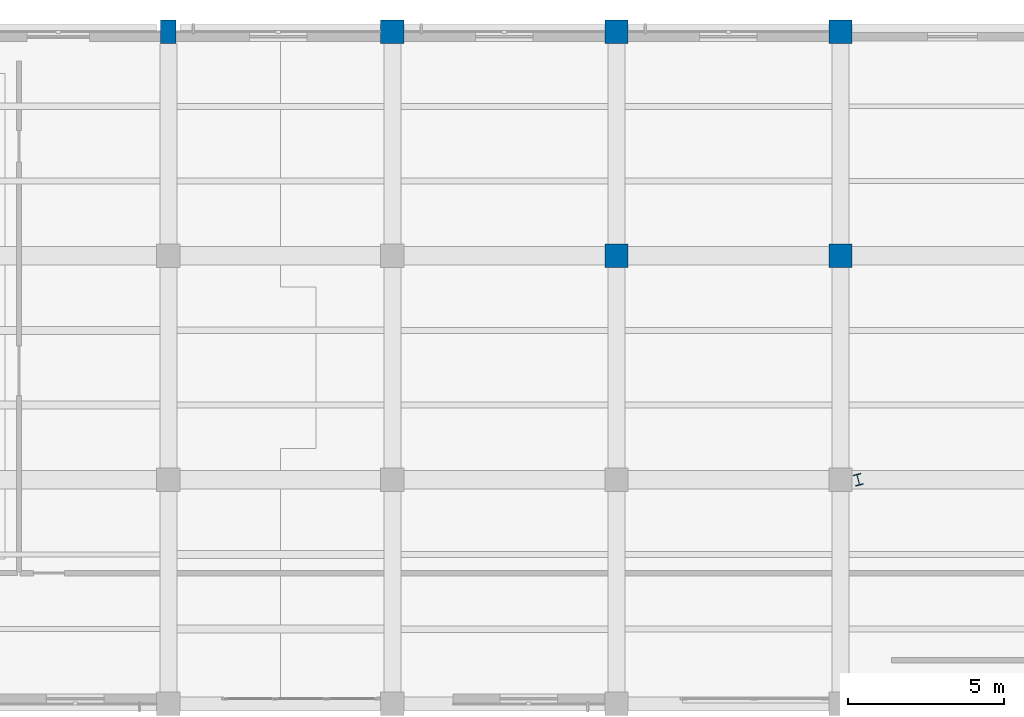
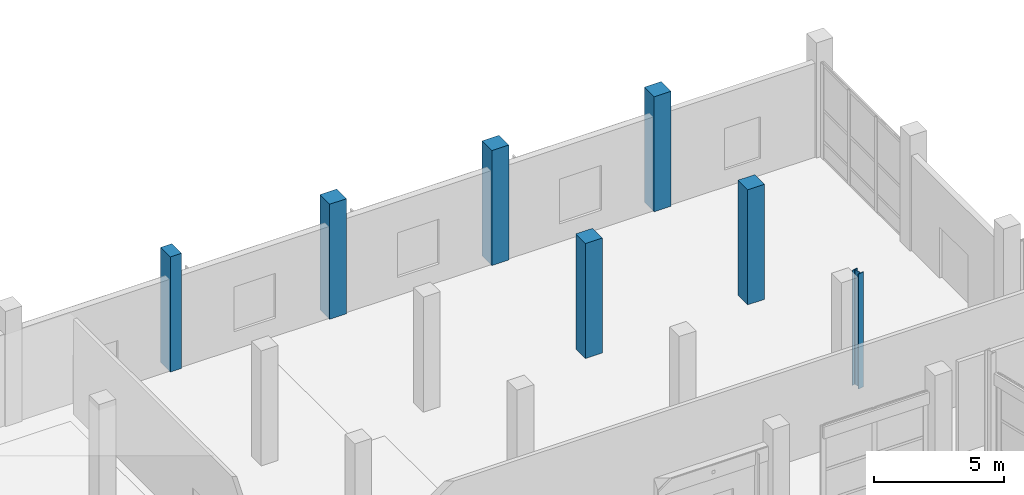
# One storey, part 4 of 137: 7 columns.
"""IFC4 building model written with IfcOpenShell, lengths in metres."""

from ifc_helpers import new_model, si_unit, direction, frame, origin, origin_2d, place, context, subcontext, project, spatial, rectangle, i_section, extrude, material, material_profile, profile_set, type_object, element, save


model = new_model("IFC4")

# Units and contexts
model_context = context("Model", 3, precision=1e-05, world=origin(), true_north=direction((0.0, 1.0)))
body_context = subcontext(model_context, "Body", "Model", "MODEL_VIEW")
ifc_project = project(units=[si_unit("LENGTHUNIT", "METRE"), si_unit("AREAUNIT", "SQUARE_METRE"), si_unit("VOLUMEUNIT", "CUBIC_METRE"), si_unit("PLANEANGLEUNIT", "RADIAN"), si_unit("MASSUNIT", "GRAM", prefix="KILO")], contexts=[model_context])

# Site, building, storey
site_placement = place(None, origin())
site = spatial("IfcSite", under=ifc_project, at=site_placement, CompositionType="ELEMENT")
building_placement = place(site_placement, origin())
building = spatial("IfcBuilding", under=site, at=building_placement, Name="Kalmorath City Hall", CompositionType="ELEMENT")
storey_placement = place(building_placement, origin())
storey = spatial("IfcBuildingStorey", under=building, at=storey_placement, Name="L00", CompositionType="ELEMENT", Elevation=0.0)

# Columns
ifc_material_1 = material(Name="Concrete C50/60", Category="concrete")
ifc_material_profile_1 = material_profile(ifc_material_1, rectangle(XDim=0.5, YDim=0.75, at=origin_2d()), Name="RC-PIL-500X750")
ifc_profile_set_1 = profile_set([ifc_material_profile_1], Name="Concrete C50/60")
column_type_1 = type_object("IfcColumnType", Name="Concrete acoustic wall pilaster 500x750", PredefinedType="PILASTER", material=ifc_profile_set_1)
column_1_placement = place(storey_placement, frame((100.800048828125, 115.199951171875, 0.0), z_axis=(0.0, 0.0, 1.0), x_axis=(1.0, 0.0, 0.0)))
element("IfcColumn", 1, at=column_1_placement, inside=storey, type_object=column_type_1, Name="L00 column CP1 (15/17)", PredefinedType="PILASTER", context=body_context, shape_type="SweptSolid", body=[
    extrude(rectangle(XDim=0.5, YDim=0.75, at=origin_2d()), origin(), (0.0, 0.0, 1.0), 5.39990234375),
])
ifc_material_2 = material(Name="Concrete C50/60", Category="concrete")
ifc_material_profile_2 = material_profile(ifc_material_2, rectangle(XDim=0.75, YDim=0.75, at=origin_2d()), Name="RC-COL-750X750")
ifc_profile_set_2 = profile_set([ifc_material_profile_2], Name="Concrete C50/60")
column_type_2 = type_object("IfcColumnType", Name="Concrete column 750x750", PredefinedType="COLUMN", material=ifc_profile_set_2)
for number, where, z_axis, x_axis, name in (
    (2, (108.0, 115.199951171875, 0.0), (0.0, 0.0, 1.0), (1.0, 0.0, 0.0), "L00 column C3 (16/17)"),
    (3, (115.199951171875, 108.0, 0.0), (0.0, 0.0, 1.0), (1.0, 0.0, 0.0), "L00 column C3 (17/16)"),
    (4, (115.199951171875, 115.199951171875, 0.0), (0.0, 0.0, 1.0), (1.0, 0.0, 0.0), "L00 column C3 (17/17)"),
    (5, (122.39990234375, 108.0, 0.0), (0.0, 0.0, 1.0), (1.0, 0.0, 0.0), "L00 column C3 (18/16)"),
    (6, (122.39990234375, 115.199951171875, 0.0), (0.0, 0.0, 1.0), (1.0, 0.0, 0.0), "L00 column C3 (18/17)"),
):
    element("IfcColumn", number, at=place(storey_placement, frame(where, z_axis=z_axis, x_axis=x_axis)), inside=storey, type_object=column_type_2, Name=name, PredefinedType="COLUMN", context=body_context, shape_type="SweptSolid", body=[
        extrude(rectangle(XDim=0.75, YDim=0.75, at=origin_2d()), origin(), (0.0, 0.0, 1.0), 5.39990234375),
    ])
ifc_material_3 = material(Name="Steel ASTM A992 Grade 50", Category="steel")
ifc_material_profile_3 = material_profile(ifc_material_3, i_section(OverallWidth=0.256103515625, OverallDepth=0.360107421875, WebThickness=0.011474609375, FlangeThickness=0.02001953125, FilletRadius=0.014892578125, at=origin_2d()), Name="W14X74")
ifc_profile_set_3 = profile_set([ifc_material_profile_3], Name="Steel ASTM A992 Grade 50")
column_type_3 = type_object("IfcColumnType", Name="Steel wide-flange column W14X74", PredefinedType="COLUMN", material=ifc_profile_set_3)
column_2_placement = place(storey_placement, frame((122.971435546875, 100.800048828125, 0.0), z_axis=(0.0, 0.0, 1.0), x_axis=(0.972369920398, 0.233445363856, 0.0)))
element("IfcColumn", 7, at=column_2_placement, inside=storey, type_object=column_type_3, Name="L00 library splay column SC4-9", PredefinedType="COLUMN", context=body_context, shape_type="SweptSolid", body=[
    extrude(i_section(OverallWidth=0.256103515625, OverallDepth=0.360107421875, WebThickness=0.011474609375, FlangeThickness=0.02001953125, FilletRadius=0.014892578125, at=origin_2d()), origin(), (0.0, 0.0, 1.0), 5.39990234375),
])

save(model, "model.ifc")
